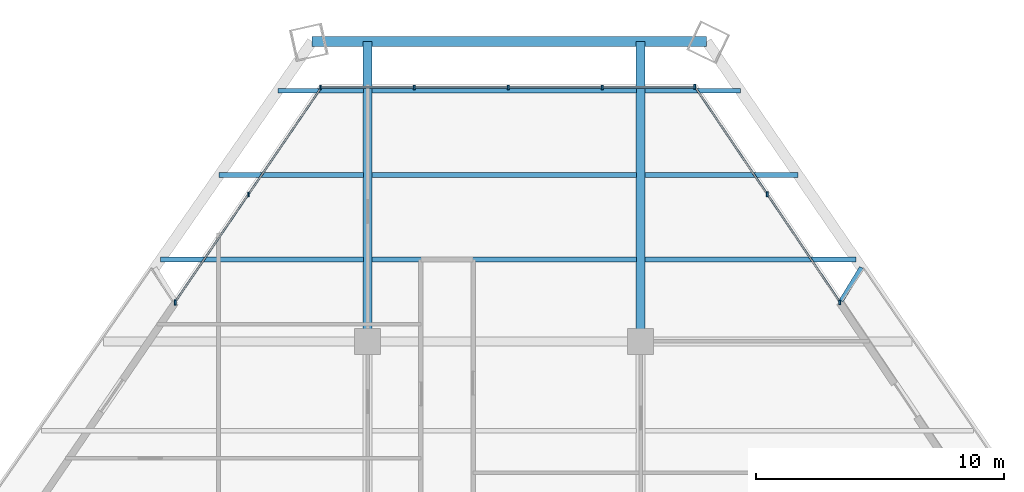
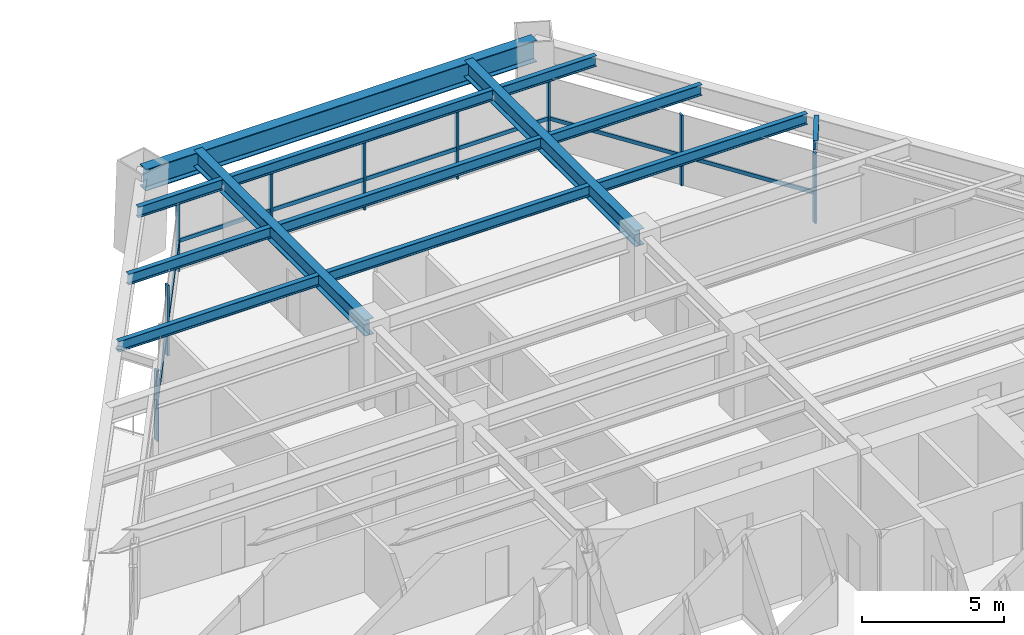
# One storey, part 8 of 14: 18 members, 13 beams, 3 elements without a shape of their own.
"""IFC4 building model written with IfcOpenShell, lengths in metres."""

from ifc_helpers import new_model, si_unit, direction, frame, origin, origin_2d, place, context, subcontext, project, spatial, rectangle, i_section, extrude, source, transform, mapped, material, material_profile, profile_set, type_object, type_shapes, element, aggregate, save


model = new_model("IFC4")

# Units and contexts
model_context = context("Model", 3, precision=1e-05, world=origin(), true_north=direction((0.0, 1.0)))
body_context = subcontext(model_context, "Body", "Model", "MODEL_VIEW")
ifc_project = project(units=[si_unit("LENGTHUNIT", "METRE"), si_unit("AREAUNIT", "SQUARE_METRE"), si_unit("VOLUMEUNIT", "CUBIC_METRE"), si_unit("PLANEANGLEUNIT", "RADIAN"), si_unit("MASSUNIT", "GRAM", prefix="KILO")], contexts=[model_context])

# Site, building, storey
site_placement = place(None, origin())
site = spatial("IfcSite", under=ifc_project, at=site_placement, CompositionType="ELEMENT")
building_placement = place(site_placement, origin())
building = spatial("IfcBuilding", under=site, at=building_placement, Name="Varnakhor Terracotta Tower", CompositionType="ELEMENT")
storey_placement = place(building_placement, frame((0.0, 0.0, 42.300048828125)))
storey = spatial("IfcBuildingStorey", under=building, at=storey_placement, Name="L09", CompositionType="ELEMENT", Elevation=42.300048828125)

# Beams
ifc_material_1 = material(Name="Steel S355", Category="steel")
ifc_material_profile_1 = material_profile(ifc_material_1, i_section(OverallWidth=0.19189453125, OverallDepth=0.462890625, WebThickness=0.010498046875, FlangeThickness=0.017578125, FilletRadius=0.01806640625, at=origin_2d()), Name="W18X60")
ifc_profile_set_1 = profile_set([ifc_material_profile_1], Name="Steel S355")
beam_type_1 = type_object("IfcBeamType", Name="JST-W18X60", PredefinedType="JOIST", material=ifc_profile_set_1)
shared_shape_1 = source(origin(), body_context, "Body", "SweptSolid", [
    extrude(i_section(OverallWidth=0.19189453125, OverallDepth=0.462890625, WebThickness=0.010498046875, FlangeThickness=0.017578125, FilletRadius=0.01806640625, at=origin_2d()), origin(), (0.0, 0.0, 1.0), 10.65283203125),
])
for number, where, z_axis, x_axis, name in (
    (1, (-5.326416015625, 34.800048828125, 3.218505859375), (1.0, 0.0, 0.0), (0.0, 1.0, 0.0), "L09 Composite Floor Joist 7-2"),
    (2, (-5.326416015625, 38.199951171875, 3.218505859375), (1.0, 0.0, 0.0), (0.0, 1.0, 0.0), "L09 Composite Floor Joist 8-2"),
    (3, (-5.326416015625, 41.60009765625, 3.218505859375), (1.0, 0.0, 0.0), (0.0, 1.0, 0.0), "L09 Composite Floor Joist 9-2"),
):
    element("IfcBeam", number, at=place(storey_placement, frame(where, z_axis=z_axis, x_axis=x_axis)), inside=storey, type_object=beam_type_1, Name=name, PredefinedType="JOIST", context=body_context, shape_type="MappedRepresentation", body=[
        mapped(shared_shape_1, transform((0.0, 0.0, 0.0), scale=1.0)),
    ])
ifc_material_profile_2 = material_profile(ifc_material_1, i_section(OverallWidth=0.41796875, OverallDepth=0.927001953125, WebThickness=0.01904296875, FlangeThickness=0.031982421875, FilletRadius=0.01806640625, at=origin_2d()), Name="W36X231")
ifc_profile_set_2 = profile_set([ifc_material_profile_2], Name="Steel S355")
beam_type_2 = type_object("IfcBeamType", Name="BM-W36X231", PredefinedType="BEAM", material=ifc_profile_set_2)
shared_shape_2 = source(origin(), body_context, "Body", "SweptSolid", [
    extrude(i_section(OverallWidth=0.41796875, OverallDepth=0.927001953125, WebThickness=0.01904296875, FlangeThickness=0.031982421875, FilletRadius=0.01806640625, at=origin_2d()), origin(), (0.0, 0.0, 1.0), 15.904541015625),
])
beam_1_placement = place(storey_placement, frame((8.16455078125, 43.581298828125, 2.986572265625), z_axis=(-1.0, 0.0, 0.0), x_axis=(0.0, -1.0, 0.0)))
element("IfcBeam", 4, at=beam_1_placement, inside=storey, type_object=beam_type_2, Name="L09 Perimeter Spandrel 5", PredefinedType="BEAM", context=body_context, shape_type="MappedRepresentation", body=[
    mapped(shared_shape_2, transform((0.0, 0.0, 0.0), scale=1.0)),
])
ifc_material_profile_3 = material_profile(ifc_material_1, i_section(OverallWidth=0.35498046875, OverallDepth=0.695068359375, WebThickness=0.014892578125, FlangeThickness=0.02490234375, FilletRadius=0.01806640625, at=origin_2d()), Name="W27X146")
ifc_profile_set_3 = profile_set([ifc_material_profile_3], Name="Steel S355")
beam_type_3 = type_object("IfcBeamType", Name="BM-W27X146", PredefinedType="BEAM", material=ifc_profile_set_3)
shared_shape_3 = source(origin(), body_context, "Body", "SweptSolid", [
    extrude(i_section(OverallWidth=0.35498046875, OverallDepth=0.695068359375, WebThickness=0.014892578125, FlangeThickness=0.02490234375, FilletRadius=0.01806640625, at=origin_2d()), origin(), (0.0, 0.0, 1.0), 12.081298828125),
])
for number, where, z_axis, x_axis, name in (
    (5, (-5.5, 31.5, 3.1025390625), (0.0, 1.0, 0.0), (-1.0, 0.0, 0.0), "L09 Primary Girder NS3-W"),
    (6, (5.5, 31.5, 3.1025390625), (0.0, 1.0, 0.0), (-1.0, 0.0, 0.0), "L09 Primary Girder NS3-E"),
):
    element("IfcBeam", number, at=place(storey_placement, frame(where, z_axis=z_axis, x_axis=x_axis)), inside=storey, type_object=beam_type_3, Name=name, PredefinedType="BEAM", context=body_context, shape_type="MappedRepresentation", body=[
        mapped(shared_shape_3, transform((0.0, 0.0, 0.0), scale=1.0)),
    ])
shared_shape_4 = source(origin(), body_context, "Body", "SweptSolid", [
    extrude(i_section(OverallWidth=0.19189453125, OverallDepth=0.462890625, WebThickness=0.010498046875, FlangeThickness=0.017578125, FilletRadius=0.01806640625, at=origin_2d()), origin(), (0.0, 0.0, 1.0), 8.166748046875),
])
beam_2_placement = place(storey_placement, frame((-13.84033203125, 34.800048828125, 3.218505859375), z_axis=(1.0, 0.0, 0.0), x_axis=(0.0, 1.0, 0.0)))
element("IfcBeam", 7, at=beam_2_placement, inside=storey, type_object=beam_type_1, Name="L09 Composite Floor Joist 7-1", PredefinedType="JOIST", context=body_context, shape_type="MappedRepresentation", body=[
    mapped(shared_shape_4, transform((0.0, 0.0, 0.0), scale=1.0)),
])
shared_shape_5 = source(origin(), body_context, "Body", "SweptSolid", [
    extrude(i_section(OverallWidth=0.19189453125, OverallDepth=0.462890625, WebThickness=0.010498046875, FlangeThickness=0.017578125, FilletRadius=0.01806640625, at=origin_2d()), origin(), (0.0, 0.0, 1.0), 8.505615234375),
])
beam_3_placement = place(storey_placement, frame((5.673583984375, 34.800048828125, 3.218505859375), z_axis=(1.0, 0.0, 0.0), x_axis=(0.0, 1.0, 0.0)))
element("IfcBeam", 8, at=beam_3_placement, inside=storey, type_object=beam_type_1, Name="L09 Composite Floor Joist 7-3", PredefinedType="JOIST", context=body_context, shape_type="MappedRepresentation", body=[
    mapped(shared_shape_5, transform((0.0, 0.0, 0.0), scale=1.0)),
])
shared_shape_6 = source(origin(), body_context, "Body", "SweptSolid", [
    extrude(i_section(OverallWidth=0.19189453125, OverallDepth=0.462890625, WebThickness=0.010498046875, FlangeThickness=0.017578125, FilletRadius=0.01806640625, at=origin_2d()), origin(), (0.0, 0.0, 1.0), 5.804931640625),
])
beam_4_placement = place(storey_placement, frame((-11.478515625, 38.199951171875, 3.218505859375), z_axis=(1.0, 0.0, 0.0), x_axis=(0.0, 1.0, 0.0)))
element("IfcBeam", 9, at=beam_4_placement, inside=storey, type_object=beam_type_1, Name="L09 Composite Floor Joist 8-1", PredefinedType="JOIST", context=body_context, shape_type="MappedRepresentation", body=[
    mapped(shared_shape_6, transform((0.0, 0.0, 0.0), scale=1.0)),
])
shared_shape_7 = source(origin(), body_context, "Body", "SweptSolid", [
    extrude(i_section(OverallWidth=0.19189453125, OverallDepth=0.462890625, WebThickness=0.010498046875, FlangeThickness=0.017578125, FilletRadius=0.01806640625, at=origin_2d()), origin(), (0.0, 0.0, 1.0), 6.177001953125),
])
beam_5_placement = place(storey_placement, frame((5.673583984375, 38.199951171875, 3.218505859375), z_axis=(1.0, 0.0, 0.0), x_axis=(0.0, 1.0, 0.0)))
element("IfcBeam", 10, at=beam_5_placement, inside=storey, type_object=beam_type_1, Name="L09 Composite Floor Joist 8-3", PredefinedType="JOIST", context=body_context, shape_type="MappedRepresentation", body=[
    mapped(shared_shape_7, transform((0.0, 0.0, 0.0), scale=1.0)),
])
shared_shape_8 = source(origin(), body_context, "Body", "SweptSolid", [
    extrude(i_section(OverallWidth=0.19189453125, OverallDepth=0.462890625, WebThickness=0.010498046875, FlangeThickness=0.017578125, FilletRadius=0.01806640625, at=origin_2d()), origin(), (0.0, 0.0, 1.0), 3.44287109375),
])
beam_6_placement = place(storey_placement, frame((-9.116455078125, 41.60009765625, 3.218505859375), z_axis=(1.0, 0.0, 0.0), x_axis=(0.0, 1.0, 0.0)))
element("IfcBeam", 11, at=beam_6_placement, inside=storey, type_object=beam_type_1, Name="L09 Composite Floor Joist 9-1", PredefinedType="JOIST", context=body_context, shape_type="MappedRepresentation", body=[
    mapped(shared_shape_8, transform((0.0, 0.0, 0.0), scale=1.0)),
])
shared_shape_9 = source(origin(), body_context, "Body", "SweptSolid", [
    extrude(i_section(OverallWidth=0.19189453125, OverallDepth=0.462890625, WebThickness=0.010498046875, FlangeThickness=0.017578125, FilletRadius=0.01806640625, at=origin_2d()), origin(), (0.0, 0.0, 1.0), 3.847900390625),
])
beam_7_placement = place(storey_placement, frame((5.673583984375, 41.60009765625, 3.218505859375), z_axis=(1.0, 0.0, 0.0), x_axis=(0.0, 1.0, 0.0)))
element("IfcBeam", 12, at=beam_7_placement, inside=storey, type_object=beam_type_1, Name="L09 Composite Floor Joist 9-3", PredefinedType="JOIST", context=body_context, shape_type="MappedRepresentation", body=[
    mapped(shared_shape_9, transform((0.0, 0.0, 0.0), scale=1.0)),
])

# Curtain wall, members
ifc_material_2 = material(Name="Anodised Aluminium Curtain Wall System", Category="aluminium")
curtain_wall_type = type_object("IfcCurtainWallType", Name="CW-SYS-LOW-OFFICE", PredefinedType="NOTDEFINED", material=ifc_material_2)
curtain_wall_1_placement = place(storey_placement, origin())
curtain_wall_1 = element("IfcCurtainWall", 13, at=curtain_wall_1_placement, inside=storey, type_object=curtain_wall_type, Name="L09 W Facet Curtain Wall 2", PredefinedType="NOTDEFINED")
ifc_material_3 = material(Name="Anodised Aluminium 6063-T6", Category="aluminium")
ifc_material_profile_4 = material_profile(ifc_material_3, rectangle(XDim=0.074951171875, YDim=0.18505859375, at=origin_2d()), Name="ALU MULLION 75x185")
ifc_profile_set_4 = profile_set([ifc_material_profile_4], Name="Anodised Aluminium 6063-T6")
member_type_1 = type_object("IfcMemberType", Name="CWM-02", PredefinedType="MULLION", material=ifc_profile_set_4)
shared_shape_10 = source(origin(), body_context, "Body", "SweptSolid", [
    extrude(rectangle(XDim=0.074951171875, YDim=0.18505859375, at=origin_2d()), origin(), (0.0, 0.0, 1.0), 3.030029296875),
])
type_shapes(member_type_1, [shared_shape_10])
member_1_placement = place(storey_placement, frame((-13.25146484375, 33.093505859375, 0.0), z_axis=(0.0, 0.0, 1.0), x_axis=(1.0, 0.0, 0.0)))
member_1 = element("IfcMember", 14, at=member_1_placement, type_object=member_type_1, Name="L09 W Facet Curtain Wall 2 Mullion 1", PredefinedType="MULLION", context=body_context, shape_type="MappedRepresentation", body=[
    mapped(shared_shape_10, transform((0.0, 0.0, 0.0), scale=1.0)),
])
member_2_placement = place(storey_placement, frame((-10.29833984375, 37.426513671875, 0.0), z_axis=(0.0, 0.0, 1.0), x_axis=(1.0, 0.0, 0.0)))
member_2 = element("IfcMember", 15, at=member_2_placement, type_object=member_type_1, Name="L09 W Facet Curtain Wall 2 Mullion 2", PredefinedType="MULLION", context=body_context, shape_type="MappedRepresentation", body=[
    mapped(shared_shape_10, transform((0.0, 0.0, 0.0), scale=1.0)),
])
member_3_placement = place(storey_placement, frame((-13.251953125, 33.0576171875, 0.0), z_axis=(0.0, 0.0, 1.0), x_axis=(1.0, 0.0, 0.0)))
member_3 = element("IfcMember", 16, at=member_3_placement, type_object=member_type_1, Name="L09 W Loggia Jamb Closure Mullion 2", PredefinedType="MULLION", context=body_context, shape_type="MappedRepresentation", body=[
    mapped(shared_shape_10, transform((0.0, 0.0, 0.0), scale=1.0)),
])

curtain_wall_2_placement = place(storey_placement, origin())
curtain_wall_2 = element("IfcCurtainWall", 17, at=curtain_wall_2_placement, inside=storey, type_object=curtain_wall_type, Name="L09 Facet Curtain Wall 2", PredefinedType="NOTDEFINED")
member_4_placement = place(storey_placement, frame((-7.397216796875, 41.731689453125, 0.0), z_axis=(0.0, 0.0, 1.0), x_axis=(1.0, 0.0, 0.0)))
member_4 = element("IfcMember", 18, at=member_4_placement, type_object=member_type_1, Name="L09 Facet Curtain Wall 2 Mullion 1", PredefinedType="MULLION", context=body_context, shape_type="MappedRepresentation", body=[
    mapped(shared_shape_10, transform((0.0, 0.0, 0.0), scale=1.0)),
])
member_5_placement = place(storey_placement, frame((-3.613037109375, 41.731689453125, 0.0), z_axis=(0.0, 0.0, 1.0), x_axis=(1.0, 0.0, 0.0)))
member_5 = element("IfcMember", 19, at=member_5_placement, type_object=member_type_1, Name="L09 Facet Curtain Wall 2 Mullion 2", PredefinedType="MULLION", context=body_context, shape_type="MappedRepresentation", body=[
    mapped(shared_shape_10, transform((0.0, 0.0, 0.0), scale=1.0)),
])
member_6_placement = place(storey_placement, frame((0.171142578125, 41.731689453125, 0.0), z_axis=(0.0, 0.0, 1.0), x_axis=(1.0, 0.0, 0.0)))
member_6 = element("IfcMember", 20, at=member_6_placement, type_object=member_type_1, Name="L09 Facet Curtain Wall 2 Mullion 3", PredefinedType="MULLION", context=body_context, shape_type="MappedRepresentation", body=[
    mapped(shared_shape_10, transform((0.0, 0.0, 0.0), scale=1.0)),
])
member_7_placement = place(storey_placement, frame((3.955322265625, 41.731689453125, 0.0), z_axis=(0.0, 0.0, 1.0), x_axis=(1.0, 0.0, 0.0)))
member_7 = element("IfcMember", 21, at=member_7_placement, type_object=member_type_1, Name="L09 Facet Curtain Wall 2 Mullion 4", PredefinedType="MULLION", context=body_context, shape_type="MappedRepresentation", body=[
    mapped(shared_shape_10, transform((0.0, 0.0, 0.0), scale=1.0)),
])

curtain_wall_3_placement = place(storey_placement, origin())
curtain_wall_3 = element("IfcCurtainWall", 22, at=curtain_wall_3_placement, inside=storey, type_object=curtain_wall_type, Name="L09 E Facet Curtain Wall 1", PredefinedType="NOTDEFINED")
member_8_placement = place(storey_placement, frame((7.686767578125, 41.759765625, 0.0), z_axis=(0.0, 0.0, 1.0), x_axis=(1.0, 0.0, 0.0)))
member_8 = element("IfcMember", 23, at=member_8_placement, type_object=member_type_1, Name="L09 E Facet Curtain Wall 1 Mullion 1", PredefinedType="MULLION", context=body_context, shape_type="MappedRepresentation", body=[
    mapped(shared_shape_10, transform((0.0, 0.0, 0.0), scale=1.0)),
])
member_9_placement = place(storey_placement, frame((10.60205078125, 37.430908203125, 0.0), z_axis=(0.0, 0.0, 1.0), x_axis=(1.0, 0.0, 0.0)))
member_9 = element("IfcMember", 24, at=member_9_placement, type_object=member_type_1, Name="L09 E Facet Curtain Wall 1 Mullion 2", PredefinedType="MULLION", context=body_context, shape_type="MappedRepresentation", body=[
    mapped(shared_shape_10, transform((0.0, 0.0, 0.0), scale=1.0)),
])
member_10_placement = place(storey_placement, frame((13.517333984375, 33.065673828125, 0.0), z_axis=(0.0, 0.0, 1.0), x_axis=(1.0, 0.0, 0.0)))
member_10 = element("IfcMember", 25, at=member_10_placement, type_object=member_type_1, Name="L09 E Loggia Jamb Closure Mullion 1", PredefinedType="MULLION", context=body_context, shape_type="MappedRepresentation", body=[
    mapped(shared_shape_10, transform((0.0, 0.0, 0.0), scale=1.0)),
])

# Member
ifc_material_profile_5 = material_profile(ifc_material_3, rectangle(XDim=0.074951171875, YDim=0.1650390625, at=origin_2d()), Name="ALU TRANSOM 75x165")
ifc_profile_set_5 = profile_set([ifc_material_profile_5], Name="Anodised Aluminium 6063-T6")
member_type_2 = type_object("IfcMemberType", Name="CWT-02", PredefinedType="USERDEFINED", material=ifc_profile_set_5)
shared_shape_11 = source(origin(), body_context, "Body", "SweptSolid", [
    extrude(rectangle(XDim=0.074951171875, YDim=0.1650390625, at=origin_2d()), origin(), (0.0, 0.0, 1.0), 5.24365234375),
])
member_11_placement = place(storey_placement, frame((-13.25146484375, 33.093505859375, 1.2724609375), z_axis=(0.563180785263, 0.826333711711, 0.0), x_axis=(-0.826333711711, 0.563180785263, 0.0)))
member_11 = element("IfcMember", 26, at=member_11_placement, type_object=member_type_2, Name="L09 W Facet Curtain Wall 2 Transom 1", ObjectType="TRANSOM", PredefinedType="USERDEFINED", context=body_context, shape_type="MappedRepresentation", body=[
    mapped(shared_shape_11, transform((0.0, 0.0, 0.0), scale=1.0)),
])

member_12_placement = place(storey_placement, frame((-10.29833984375, 37.426513671875, 1.2724609375), z_axis=(0.563234244204, 0.826297274687, 0.0), x_axis=(-0.826297274687, 0.563234244204, 0.0)))
member_12 = element("IfcMember", 27, at=member_12_placement, type_object=member_type_2, Name="L09 W Facet Curtain Wall 2 Transom 2", ObjectType="TRANSOM", PredefinedType="USERDEFINED", context=body_context, shape_type="MappedRepresentation", body=[
    mapped(shared_shape_11, transform((0.0, 0.0, 0.0), scale=1.0)),
])

aggregate(curtain_wall_1, [member_1, member_11, member_2, member_12, member_3])

shared_shape_12 = source(origin(), body_context, "Body", "SweptSolid", [
    extrude(rectangle(XDim=0.074951171875, YDim=0.1650390625, at=origin_2d()), origin(), (0.0, 0.0, 1.0), 3.7841796875),
])
member_13_placement = place(storey_placement, frame((-7.397216796875, 41.731689453125, 1.2724609375), z_axis=(1.0, 0.0, 0.0), x_axis=(0.0, 1.0, 0.0)))
member_13 = element("IfcMember", 28, at=member_13_placement, type_object=member_type_2, Name="L09 Facet Curtain Wall 2 Transom 1", ObjectType="TRANSOM", PredefinedType="USERDEFINED", context=body_context, shape_type="MappedRepresentation", body=[
    mapped(shared_shape_12, transform((0.0, 0.0, 0.0), scale=1.0)),
])

member_14_placement = place(storey_placement, frame((-3.613037109375, 41.731689453125, 1.2724609375), z_axis=(1.0, 0.0, 0.0), x_axis=(0.0, 1.0, 0.0)))
member_14 = element("IfcMember", 29, at=member_14_placement, type_object=member_type_2, Name="L09 Facet Curtain Wall 2 Transom 2", ObjectType="TRANSOM", PredefinedType="USERDEFINED", context=body_context, shape_type="MappedRepresentation", body=[
    mapped(shared_shape_12, transform((0.0, 0.0, 0.0), scale=1.0)),
])

member_15_placement = place(storey_placement, frame((0.171142578125, 41.731689453125, 1.2724609375), z_axis=(1.0, 0.0, 0.0), x_axis=(0.0, 1.0, 0.0)))
member_15 = element("IfcMember", 30, at=member_15_placement, type_object=member_type_2, Name="L09 Facet Curtain Wall 2 Transom 3", ObjectType="TRANSOM", PredefinedType="USERDEFINED", context=body_context, shape_type="MappedRepresentation", body=[
    mapped(shared_shape_12, transform((0.0, 0.0, 0.0), scale=1.0)),
])

member_16_placement = place(storey_placement, frame((3.955322265625, 41.731689453125, 1.2724609375), z_axis=(1.0, 0.0, 0.0), x_axis=(0.0, 1.0, 0.0)))
member_16 = element("IfcMember", 31, at=member_16_placement, type_object=member_type_2, Name="L09 Facet Curtain Wall 2 Transom 4", ObjectType="TRANSOM", PredefinedType="USERDEFINED", context=body_context, shape_type="MappedRepresentation", body=[
    mapped(shared_shape_12, transform((0.0, 0.0, 0.0), scale=1.0)),
])

aggregate(curtain_wall_2, [member_4, member_13, member_5, member_14, member_6, member_15, member_7, member_16])

shared_shape_13 = source(origin(), body_context, "Body", "SweptSolid", [
    extrude(rectangle(XDim=0.074951171875, YDim=0.1650390625, at=origin_2d()), origin(), (0.0, 0.0, 1.0), 5.218994140625),
])
member_17_placement = place(storey_placement, frame((7.686767578125, 41.759765625, 1.2724609375), z_axis=(0.558591184438, -0.82944311961, 0.0), x_axis=(0.82944311961, 0.558591184438, 0.0)))
member_17 = element("IfcMember", 32, at=member_17_placement, type_object=member_type_2, Name="L09 E Facet Curtain Wall 1 Transom 1", ObjectType="TRANSOM", PredefinedType="USERDEFINED", context=body_context, shape_type="MappedRepresentation", body=[
    mapped(shared_shape_13, transform((0.0, 0.0, 0.0), scale=1.0)),
])

member_18_placement = place(storey_placement, frame((10.60205078125, 37.430908203125, 1.2724609375), z_axis=(0.558537327187, -0.82947938741, 0.0), x_axis=(0.82947938741, 0.558537327187, 0.0)))
member_18 = element("IfcMember", 33, at=member_18_placement, type_object=member_type_2, Name="L09 E Facet Curtain Wall 1 Transom 2", ObjectType="TRANSOM", PredefinedType="USERDEFINED", context=body_context, shape_type="MappedRepresentation", body=[
    mapped(shared_shape_13, transform((0.0, 0.0, 0.0), scale=1.0)),
])

aggregate(curtain_wall_3, [member_8, member_17, member_9, member_18, member_10])

# Beam
ifc_material_profile_6 = material_profile(ifc_material_1, i_section(OverallWidth=0.179931640625, OverallDepth=0.39990234375, WebThickness=0.008544921875, FlangeThickness=0.013427734375, FilletRadius=0.01806640625, at=origin_2d()), Name="IPE400")
ifc_profile_set_6 = profile_set([ifc_material_profile_6], Name="Steel S355")
beam_type_4 = type_object("IfcBeamType", Name="JST-IPE400", PredefinedType="JOIST", material=ifc_profile_set_6)
shared_shape_14 = source(origin(), body_context, "Body", "SweptSolid", [
    extrude(i_section(OverallWidth=0.179931640625, OverallDepth=0.39990234375, WebThickness=0.008544921875, FlangeThickness=0.013427734375, FilletRadius=0.01806640625, at=origin_2d()), origin(), (0.0, 0.0, 1.0), 1.5771484375),
])
beam_8_placement = place(storey_placement, frame((13.5771484375, 33.131591796875, 3.25), z_axis=(0.522282530125, 0.852772512881, 0.0), x_axis=(-0.852772512881, 0.522282530125, 0.0)))
element("IfcBeam", 34, at=beam_8_placement, inside=storey, type_object=beam_type_4, Name="L10 E Loggia Tie Beam 1", PredefinedType="JOIST", context=body_context, shape_type="MappedRepresentation", body=[
    mapped(shared_shape_14, transform((0.0, 0.0, 0.0), scale=1.0)),
])

save(model, "model.ifc")
